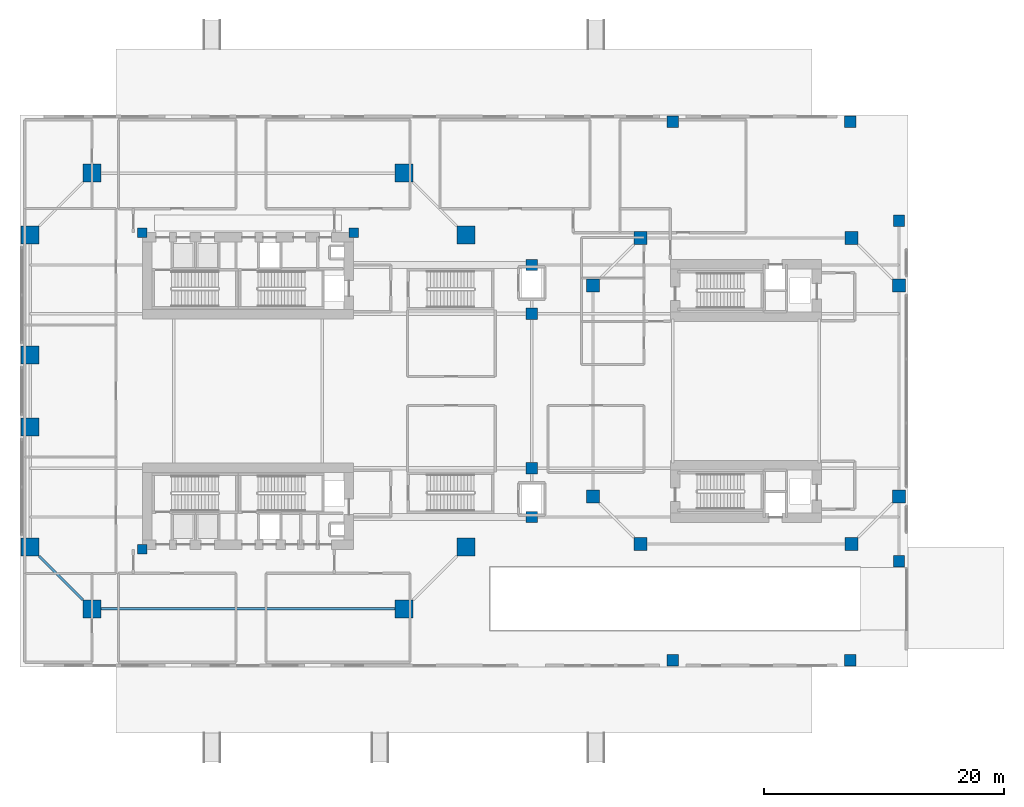
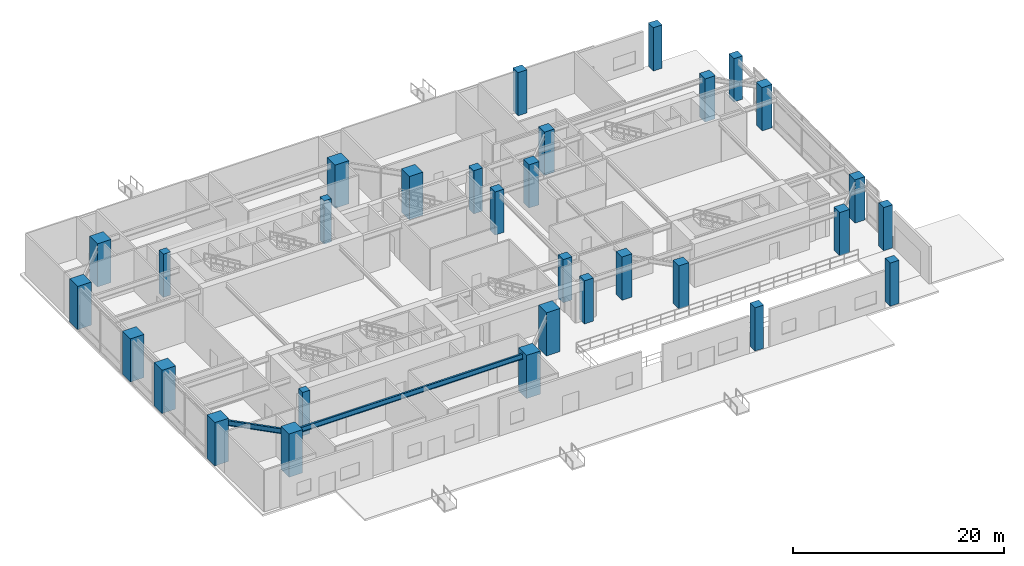
# One storey, part 1 of 18: 31 columns, 2 beams.
"""IFC4 building model written with IfcOpenShell, lengths in metres."""

from ifc_helpers import new_model, si_unit, direction, frame, origin, origin_2d, place, context, subcontext, project, spatial, rectangle, i_section, extrude, source, transform, mapped, material, material_profile, profile_set, type_object, element, save


model = new_model("IFC4")

# Units and contexts
model_context = context("Model", 3, precision=1e-05, world=origin(), true_north=direction((0.0, 1.0)))
body_context = subcontext(model_context, "Body", "Model", "MODEL_VIEW")
ifc_project = project(units=[si_unit("LENGTHUNIT", "METRE"), si_unit("AREAUNIT", "SQUARE_METRE"), si_unit("VOLUMEUNIT", "CUBIC_METRE"), si_unit("PLANEANGLEUNIT", "RADIAN"), si_unit("MASSUNIT", "GRAM", prefix="KILO"), si_unit("THERMODYNAMICTEMPERATUREUNIT", "KELVIN"), si_unit("POWERUNIT", "WATT")], contexts=[model_context])

# Site, building, storey
site_placement = place(None, origin())
site = spatial("IfcSite", under=ifc_project, at=site_placement, CompositionType="ELEMENT")
building_placement = place(site_placement, origin())
building = spatial("IfcBuilding", under=site, at=building_placement, Name="Qiaomeng Ring Towers", CompositionType="ELEMENT")
storey_placement = place(building_placement, origin())
storey = spatial("IfcBuildingStorey", under=building, at=storey_placement, Name="L00", CompositionType="ELEMENT", Elevation=0.0)

# Columns
ifc_material_1 = material(Name="Concrete C60", Category="concrete")
ifc_material_profile_1 = material_profile(ifc_material_1, rectangle(XDim=1.5, YDim=1.5, at=origin_2d()), Name="RC COL 1500x1500")
ifc_profile_set_1 = profile_set([ifc_material_profile_1], Name="Concrete C60")
column_type_1 = type_object("IfcColumnType", Name="STR-COL-1500", PredefinedType="COLUMN", material=ifc_profile_set_1)
shared_shape_1 = source(origin(), body_context, "Body", "SweptSolid", [
    extrude(rectangle(XDim=1.5, YDim=1.5, at=origin_2d()), origin(), (0.0, 0.0, 1.0), 5.0),
])
for number, where, z_axis, x_axis, name in (
    (1, (6.0, 4.85009765625, 0.0), (0.0, 0.0, 1.0), (1.0, 0.0, 0.0), "L00 column STR-COL-L00-T1-S1"),
    (2, (32.0, 4.85009765625, 0.0), (0.0, 0.0, 1.0), (1.0, 0.0, 0.0), "L00 column STR-COL-L00-T1-S2"),
    (3, (37.14990234375, 10.0, 0.0), (0.0, 0.0, 1.0), (1.0, 0.0, 0.0), "L00 column STR-COL-L00-T1-E1"),
    (4, (37.14990234375, 36.0, 0.0), (0.0, 0.0, 1.0), (1.0, 0.0, 0.0), "L00 column STR-COL-L00-T1-E4"),
    (5, (32.0, 41.14990234375, 0.0), (0.0, 0.0, 1.0), (1.0, 0.0, 0.0), "L00 column STR-COL-L00-T1-N2"),
    (6, (6.0, 41.14990234375, 0.0), (0.0, 0.0, 1.0), (1.0, 0.0, 0.0), "L00 column STR-COL-L00-T1-N1"),
    (7, (0.85009765625, 36.0, 0.0), (0.0, 0.0, 1.0), (1.0, 0.0, 0.0), "L00 column STR-COL-L00-T1-W4"),
    (8, (0.85009765625, 26.0, 0.0), (0.0, 0.0, 1.0), (1.0, 0.0, 0.0), "L00 column STR-COL-L00-T1-W3"),
    (9, (0.85009765625, 20.0, 0.0), (0.0, 0.0, 1.0), (1.0, 0.0, 0.0), "L00 column STR-COL-L00-T1-W2"),
    (10, (0.85009765625, 10.0, 0.0), (0.0, 0.0, 1.0), (1.0, 0.0, 0.0), "L00 column STR-COL-L00-T1-W1"),
):
    element("IfcColumn", number, at=place(storey_placement, frame(where, z_axis=z_axis, x_axis=x_axis)), inside=storey, type_object=column_type_1, Name=name, PredefinedType="COLUMN", context=body_context, shape_type="MappedRepresentation", body=[
        mapped(shared_shape_1, transform((0.0, 0.0, 0.0), x_axis=(1.0, 0.0, 0.0), y_axis=(0.0, 1.0, 0.0), z_axis=(0.0, 0.0, 1.0), scale=1.0)),
    ])
ifc_material_profile_2 = material_profile(ifc_material_1, rectangle(XDim=1.10009765625, YDim=1.10009765625, at=origin_2d()), Name="RC COL 1100x1100")
ifc_profile_set_2 = profile_set([ifc_material_profile_2], Name="Concrete C60")
column_type_2 = type_object("IfcColumnType", Name="STR-COL-1100-C60", PredefinedType="COLUMN", material=ifc_profile_set_2)
shared_shape_2 = source(origin(), body_context, "Body", "SweptSolid", [
    extrude(rectangle(XDim=1.10009765625, YDim=1.10009765625, at=origin_2d()), origin(), (0.0, 0.0, 1.0), 5.0),
])
for number, where, z_axis, x_axis, name in (
    (11, (51.699951171875, 10.25, 0.0), (0.0, 0.0, 1.0), (1.0, 0.0, 0.0), "L00 column STR-COL-L00-T2-S1"),
    (12, (69.300048828125, 10.25, 0.0), (0.0, 0.0, 1.0), (1.0, 0.0, 0.0), "L00 column STR-COL-L00-T2-S2"),
    (13, (73.25, 14.199951171875, 0.0), (0.0, 0.0, 1.0), (1.0, 0.0, 0.0), "L00 column STR-COL-L00-T2-E1"),
    (14, (73.25, 31.800048828125, 0.0), (0.0, 0.0, 1.0), (1.0, 0.0, 0.0), "L00 column STR-COL-L00-T2-E2"),
    (15, (69.300048828125, 35.75, 0.0), (0.0, 0.0, 1.0), (1.0, 0.0, 0.0), "L00 column STR-COL-L00-T2-N2"),
    (16, (51.699951171875, 35.75, 0.0), (0.0, 0.0, 1.0), (1.0, 0.0, 0.0), "L00 column STR-COL-L00-T2-N1"),
    (17, (47.75, 14.199951171875, 0.0), (0.0, 0.0, 1.0), (1.0, 0.0, 0.0), "L00 column STR-COL-L00-T2-W1"),
    (18, (47.75, 31.800048828125, 0.0), (0.0, 0.0, 1.0), (1.0, 0.0, 0.0), "L00 column STR-COL-L00-T2-W4"),
):
    element("IfcColumn", number, at=place(storey_placement, frame(where, z_axis=z_axis, x_axis=x_axis)), inside=storey, type_object=column_type_2, Name=name, PredefinedType="COLUMN", context=body_context, shape_type="MappedRepresentation", body=[
        mapped(shared_shape_2, transform((0.0, 0.0, 0.0), x_axis=(1.0, 0.0, 0.0), y_axis=(0.0, 1.0, 0.0), z_axis=(0.0, 0.0, 1.0), scale=1.0)),
    ])
ifc_material_profile_3 = material_profile(ifc_material_1, rectangle(XDim=0.949951171875, YDim=0.949951171875, at=origin_2d()), Name="RC COL 950x950")
ifc_profile_set_3 = profile_set([ifc_material_profile_3], Name="Concrete C60")
column_type_3 = type_object("IfcColumnType", Name="STR-COL-950-C60", PredefinedType="COLUMN", material=ifc_profile_set_3)
shared_shape_3 = source(origin(), body_context, "Body", "SweptSolid", [
    extrude(rectangle(XDim=0.949951171875, YDim=0.949951171875, at=origin_2d()), origin(), (0.0, 0.0, 1.0), 5.0),
])
for number, where, z_axis, x_axis, name in (
    (19, (42.64990234375, 12.5, 0.0), (0.0, 0.0, 1.0), (1.0, 0.0, 0.0), "L00 column STR-COL-L00-P1"),
    (20, (42.64990234375, 16.550048828125, 0.0), (0.0, 0.0, 1.0), (1.0, 0.0, 0.0), "L00 column STR-COL-L00-P2S"),
    (21, (42.64990234375, 29.449951171875, 0.0), (0.0, 0.0, 1.0), (1.0, 0.0, 0.0), "L00 column STR-COL-L00-P2N"),
    (22, (42.64990234375, 33.5, 0.0), (0.0, 0.0, 1.0), (1.0, 0.0, 0.0), "L00 column STR-COL-L00-P3"),
    (23, (54.39990234375, 0.550048828125, 0.0), (0.0, 0.0, 1.0), (1.0, 0.0, 0.0), "L00 column STR-COL-L00-P4"),
    (24, (69.199951171875, 0.550048828125, 0.0), (0.0, 0.0, 1.0), (1.0, 0.0, 0.0), "L00 column STR-COL-L00-P5"),
    (25, (54.39990234375, 45.449951171875, 0.0), (0.0, 0.0, 1.0), (1.0, 0.0, 0.0), "L00 column STR-COL-L00-P6"),
    (26, (69.199951171875, 45.449951171875, 0.0), (0.0, 0.0, 1.0), (1.0, 0.0, 0.0), "L00 column STR-COL-L00-P7"),
    (27, (73.25, 8.800048828125, 0.0), (0.0, 0.0, 1.0), (1.0, 0.0, 0.0), "L00 column STR-COL-L00-PES"),
    (28, (73.25, 37.199951171875, 0.0), (0.0, 0.0, 1.0), (1.0, 0.0, 0.0), "L00 column STR-COL-L00-PEN"),
):
    element("IfcColumn", number, at=place(storey_placement, frame(where, z_axis=z_axis, x_axis=x_axis)), inside=storey, type_object=column_type_3, Name=name, PredefinedType="COLUMN", context=body_context, shape_type="MappedRepresentation", body=[
        mapped(shared_shape_3, transform((0.0, 0.0, 0.0), x_axis=(1.0, 0.0, 0.0), y_axis=(0.0, 1.0, 0.0), z_axis=(0.0, 0.0, 1.0), scale=1.0)),
    ])
ifc_material_profile_4 = material_profile(ifc_material_1, rectangle(XDim=0.800048828125, YDim=0.800048828125, at=origin_2d()), Name="RC COL 800x800")
ifc_profile_set_4 = profile_set([ifc_material_profile_4], Name="Concrete C60")
column_type_4 = type_object("IfcColumnType", Name="STR-PIL-800", PredefinedType="PILASTER", material=ifc_profile_set_4)
shared_shape_4 = source(origin(), body_context, "Body", "SweptSolid", [
    extrude(rectangle(XDim=0.800048828125, YDim=0.800048828125, at=origin_2d()), origin(), (0.0, 0.0, 1.0), 5.0),
])
for number, where, z_axis, x_axis, name in (
    (29, (10.199951171875, 36.199951171875, 0.0), (0.0, 0.0, 1.0), (1.0, 0.0, 0.0), "L00 column STR-PIL-L00-PL-N1"),
    (30, (10.199951171875, 9.800048828125, 0.0), (0.0, 0.0, 1.0), (1.0, 0.0, 0.0), "L00 column STR-PIL-L00-PL-S1"),
    (31, (27.800048828125, 36.199951171875, 0.0), (0.0, 0.0, 1.0), (1.0, 0.0, 0.0), "L00 column STR-PIL-L00-PL-N2"),
):
    element("IfcColumn", number, at=place(storey_placement, frame(where, z_axis=z_axis, x_axis=x_axis)), inside=storey, type_object=column_type_4, Name=name, PredefinedType="PILASTER", context=body_context, shape_type="MappedRepresentation", body=[
        mapped(shared_shape_4, transform((0.0, 0.0, 0.0), x_axis=(1.0, 0.0, 0.0), y_axis=(0.0, 1.0, 0.0), z_axis=(0.0, 0.0, 1.0), scale=1.0)),
    ])

# Beams
ifc_material_2 = material(Name="Steel Q355B", Category="steel")
ifc_material_profile_5 = material_profile(ifc_material_2, i_section(OverallWidth=0.199951171875, OverallDepth=0.60009765625, WebThickness=0.010986328125, FlangeThickness=0.01708984375, FilletRadius=0.02197265625, at=origin_2d()), Name="HN 600x200x11x17")
ifc_profile_set_5 = profile_set([ifc_material_profile_5], Name="Steel Q355B")
beam_type = type_object("IfcBeamType", Name="STR-BM-HN600", PredefinedType="BEAM", material=ifc_profile_set_5)
shared_shape_5 = source(origin(), body_context, "Body", "SweptSolid", [
    extrude(i_section(OverallWidth=0.199951171875, OverallDepth=0.60009765625, WebThickness=0.010986328125, FlangeThickness=0.01708984375, FilletRadius=0.02197265625, at=origin_2d()), origin(), (0.0, 0.0, 1.0), 24.501953125),
])
beam_1_placement = place(storey_placement, frame((6.7490234375, 4.85009765625, 4.47998046875), z_axis=(1.0, 0.0, 0.0), x_axis=(0.0, 1.0, 0.0)))
element("IfcBeam", 32, at=beam_1_placement, inside=storey, type_object=beam_type, Name="L00 beam STR-SP-L00-T1-1", PredefinedType="BEAM", context=body_context, shape_type="MappedRepresentation", body=[
    mapped(shared_shape_5, transform((0.0, 0.0, 0.0), x_axis=(1.0, 0.0, 0.0), y_axis=(0.0, 1.0, 0.0), z_axis=(0.0, 0.0, 1.0), scale=1.0)),
])
shared_shape_6 = source(origin(), body_context, "Body", "SweptSolid", [
    extrude(i_section(OverallWidth=0.199951171875, OverallDepth=0.60009765625, WebThickness=0.010986328125, FlangeThickness=0.01708984375, FilletRadius=0.02197265625, at=origin_2d()), origin(), (0.0, 0.0, 1.0), 5.163818359375),
])
beam_2_placement = place(storey_placement, frame((1.599365234375, 9.250732421875, 4.47998046875), z_axis=(0.707106781187, -0.707106781187, 0.0), x_axis=(0.707106781187, 0.707106781187, 0.0)))
element("IfcBeam", 33, at=beam_2_placement, inside=storey, type_object=beam_type, Name="L00 beam STR-SP-L00-T1-0", PredefinedType="BEAM", context=body_context, shape_type="MappedRepresentation", body=[
    mapped(shared_shape_6, transform((0.0, 0.0, 0.0), x_axis=(1.0, 0.0, 0.0), y_axis=(0.0, 1.0, 0.0), z_axis=(0.0, 0.0, 1.0), scale=1.0)),
])

save(model, "model.ifc")
